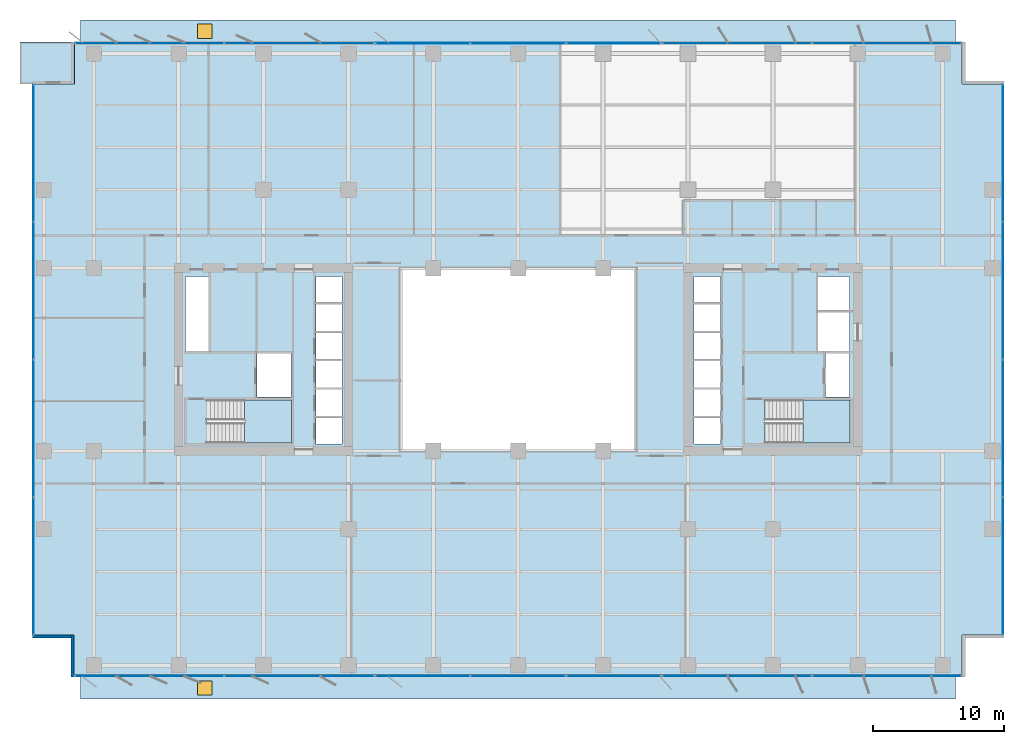
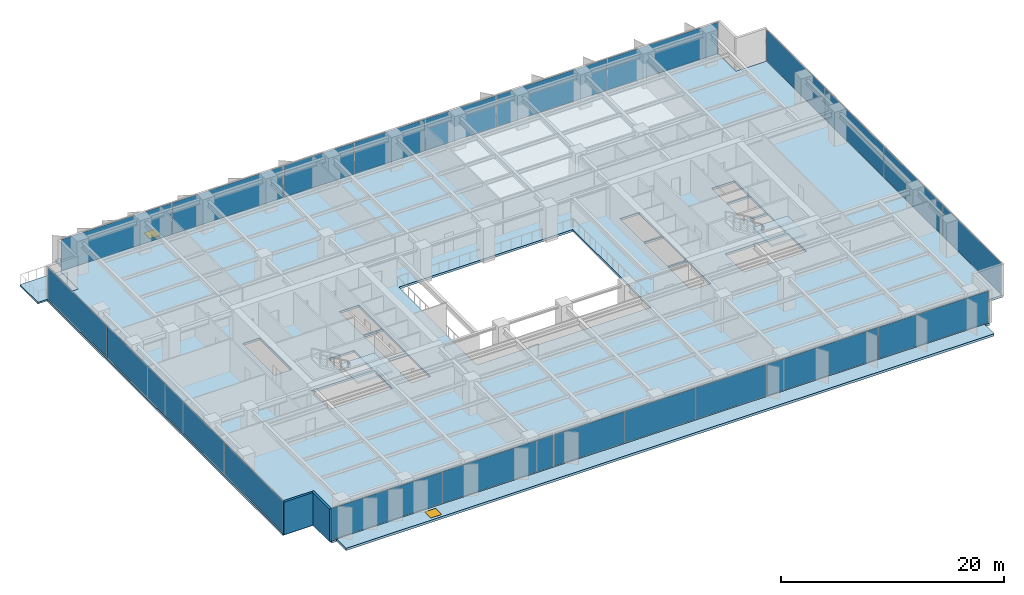
# One storey, part 12 of 19: 22 plates, 6 slabs, 2 doors, 2 walls, 2 openings, 10 elements without a shape of their own.
"""IFC4 building model written with IfcOpenShell, lengths in metres."""

from ifc_helpers import new_model, si_unit, direction, frame, frame_2d, origin, origin_2d, place, context, subcontext, project, spatial, polyline, rectangle, outline, extrude, material, layer, layer_set, type_object, element, fill, aggregate, save


model = new_model("IFC4")

# Units and contexts
model_context = context("Model", 3, precision=1e-05, world=origin(), true_north=direction((0.0, 1.0)))
body_context = subcontext(model_context, "Body", "Model", "MODEL_VIEW")
ifc_project = project(units=[si_unit("LENGTHUNIT", "METRE"), si_unit("AREAUNIT", "SQUARE_METRE"), si_unit("VOLUMEUNIT", "CUBIC_METRE"), si_unit("PLANEANGLEUNIT", "RADIAN"), si_unit("MASSUNIT", "GRAM", prefix="KILO")], contexts=[model_context])

# Site, building, storey
site_placement = place(None, origin())
site = spatial("IfcSite", under=ifc_project, at=site_placement, CompositionType="ELEMENT")
building_placement = place(site_placement, origin())
building = spatial("IfcBuilding", under=site, at=building_placement, Name="Putna Gate Headquarters", CompositionType="ELEMENT")
storey_placement = place(building_placement, frame((0.0, 0.0, 86.0)))
storey = spatial("IfcBuildingStorey", under=building, at=storey_placement, Name="L20", CompositionType="ELEMENT", Elevation=86.0)

# Stair, slab
ifc_material_1 = material(Name="Concrete C40/50", Category="concrete")
stair_type_1 = type_object("IfcStairType", Name="STAIR-ST1", PredefinedType="HALF_TURN_STAIR", material=ifc_material_1)
stair_1_placement = place(storey_placement, origin())
stair_1 = element("IfcStair", 1, at=stair_1_placement, inside=storey, type_object=stair_type_1, Name="L20 West Core Exit Stair ST1", PredefinedType="HALF_TURN_STAIR")
ifc_layer_1 = layer(ifc_material_1, 0.199951171875)
ifc_layer_set_1 = layer_set([ifc_layer_1], Name="Concrete C40/50")
slab_type_1 = type_object("IfcSlabType", Name="LANDING-ST1", PredefinedType="LANDING", material=ifc_layer_set_1)
slab_1_placement = place(storey_placement, frame((0.0, 0.0, 1.699951171875)))
slab_1 = element("IfcSlab", 2, at=slab_1_placement, type_object=slab_type_1, Name="ST1 landing 1", PredefinedType="LANDING", context=body_context, shape_type="SweptSolid", body=[
    extrude(outline(polyline([(18.050048828125, 19.60009765625), (21.64990234375, 19.60009765625), (21.64990234375, 22.89990234375), (18.050048828125, 22.89990234375), (18.050048828125, 19.60009765625)])), origin(), (0.0, 0.0, 1.0), 0.199951171875),
])
aggregate(stair_1, [slab_1])

stair_type_2 = type_object("IfcStairType", Name="STAIR-ST2", PredefinedType="HALF_TURN_STAIR", material=ifc_material_1)
stair_2_placement = place(storey_placement, origin())
stair_2 = element("IfcStair", 3, at=stair_2_placement, inside=storey, type_object=stair_type_2, Name="L20 East Core Exit Stair ST2", PredefinedType="HALF_TURN_STAIR")
ifc_layer_2 = layer(ifc_material_1, 0.199951171875)
ifc_layer_set_2 = layer_set([ifc_layer_2], Name="Concrete C40/50")
slab_type_2 = type_object("IfcSlabType", Name="LANDING-ST2", PredefinedType="LANDING", material=ifc_layer_set_2)
slab_2_placement = place(storey_placement, frame((0.0, 0.0, 1.699951171875)))
slab_2 = element("IfcSlab", 4, at=slab_2_placement, type_object=slab_type_2, Name="ST2 landing 1", PredefinedType="LANDING", context=body_context, shape_type="SweptSolid", body=[
    extrude(outline(polyline([(60.800048828125, 19.60009765625), (64.39990234375, 19.60009765625), (64.39990234375, 22.89990234375), (60.800048828125, 22.89990234375), (60.800048828125, 19.60009765625)])), origin(), (0.0, 0.0, 1.0), 0.199951171875),
])
aggregate(stair_2, [slab_2])

# Curtain wall, plates
ifc_material_2 = material(Name="Anodised bronze aluminium curtain wall", Category="aluminium")
ifc_layer_3 = layer(ifc_material_2, 0.159912109375)
ifc_layer_set_3 = layer_set([ifc_layer_3], Name="Anodised bronze aluminium curtain wall")
curtain_wall_type_1 = type_object("IfcCurtainWallType", Name="CW-SYS-Z2", PredefinedType="USERDEFINED", material=ifc_layer_set_3)
curtain_wall_1_placement = place(storey_placement, origin())
curtain_wall_1 = element("IfcCurtainWall", 5, at=curtain_wall_1_placement, inside=storey, type_object=curtain_wall_type_1, Name="L20 South West Curtain Wall", ObjectType="STICK CURTAIN WALL", PredefinedType="USERDEFINED")
ifc_material_3 = material(Name="Solar-control triple low-E glass", Category="glass")
ifc_layer_4 = layer(ifc_material_3, 0.030029296875)
ifc_layer_set_4 = layer_set([ifc_layer_4], Name="Solar-control triple low-E glass")
plate_type_1 = type_object("IfcPlateType", Name="PAN-CWP-2", PredefinedType="CURTAIN_PANEL", material=ifc_layer_set_4)
plate_1_placement = place(storey_placement, frame((10.766357421875, 1.780029296875, 0.06494140625), z_axis=(0.0, 0.0, 1.0), x_axis=(1.0, 0.0, 0.0)))
plate_1 = element("IfcPlate", 6, at=plate_1_placement, type_object=plate_type_1, Name="CWS-2 panel 1.1", PredefinedType="CURTAIN_PANEL", context=body_context, shape_type="SweptSolid", body=[
    extrude(rectangle(XDim=11.402587890625, YDim=0.030029296875, at=origin_2d()), origin(), (0.0, 0.0, 1.0), 3.43505859375),
])
plate_2_placement = place(storey_placement, frame((22.233642578125, 1.780029296875, 0.06494140625), z_axis=(0.0, 0.0, 1.0), x_axis=(1.0, 0.0, 0.0)))
plate_2 = element("IfcPlate", 7, at=plate_2_placement, type_object=plate_type_1, Name="CWS-2 panel 2.1", PredefinedType="CURTAIN_PANEL", context=body_context, shape_type="SweptSolid", body=[
    extrude(rectangle(XDim=11.402587890625, YDim=0.030029296875, at=origin_2d()), origin(), (0.0, 0.0, 1.0), 3.43505859375),
])
aggregate(curtain_wall_1, [plate_1, plate_2])

curtain_wall_2_placement = place(storey_placement, origin())
curtain_wall_2 = element("IfcCurtainWall", 8, at=curtain_wall_2_placement, inside=storey, type_object=curtain_wall_type_1, Name="L20 South East Curtain Wall", ObjectType="STICK CURTAIN WALL", PredefinedType="USERDEFINED")
plate_3_placement = place(storey_placement, frame((55.766357421875, 1.780029296875, 0.06494140625), z_axis=(0.0, 0.0, 1.0), x_axis=(1.0, 0.0, 0.0)))
plate_3 = element("IfcPlate", 9, at=plate_3_placement, type_object=plate_type_1, Name="CWS-2 panel 1.1", PredefinedType="CURTAIN_PANEL", context=body_context, shape_type="SweptSolid", body=[
    extrude(rectangle(XDim=11.402587890625, YDim=0.030029296875, at=origin_2d()), origin(), (0.0, 0.0, 1.0), 3.43505859375),
])
plate_4_placement = place(storey_placement, frame((67.233642578125, 1.780029296875, 0.06494140625), z_axis=(0.0, 0.0, 1.0), x_axis=(1.0, 0.0, 0.0)))
plate_4 = element("IfcPlate", 10, at=plate_4_placement, type_object=plate_type_1, Name="CWS-2 panel 2.1", PredefinedType="CURTAIN_PANEL", context=body_context, shape_type="SweptSolid", body=[
    extrude(rectangle(XDim=11.402587890625, YDim=0.030029296875, at=origin_2d()), origin(), (0.0, 0.0, 1.0), 3.43505859375),
])
aggregate(curtain_wall_2, [plate_3, plate_4])

curtain_wall_3_placement = place(storey_placement, origin())
curtain_wall_3 = element("IfcCurtainWall", 11, at=curtain_wall_3_placement, inside=storey, type_object=curtain_wall_type_1, Name="L20 North West Curtain Wall", ObjectType="STICK CURTAIN WALL", PredefinedType="USERDEFINED")
plate_5_placement = place(storey_placement, frame((10.766357421875, 50.219970703125, 0.06494140625), z_axis=(0.0, 0.0, 1.0), x_axis=(1.0, 0.0, 0.0)))
plate_5 = element("IfcPlate", 12, at=plate_5_placement, type_object=plate_type_1, Name="CWS-2 panel 1.1", PredefinedType="CURTAIN_PANEL", context=body_context, shape_type="SweptSolid", body=[
    extrude(rectangle(XDim=11.402587890625, YDim=0.030029296875, at=origin_2d()), origin(), (0.0, 0.0, 1.0), 3.43505859375),
])
plate_6_placement = place(storey_placement, frame((22.233642578125, 50.219970703125, 0.06494140625), z_axis=(0.0, 0.0, 1.0), x_axis=(1.0, 0.0, 0.0)))
plate_6 = element("IfcPlate", 13, at=plate_6_placement, type_object=plate_type_1, Name="CWS-2 panel 2.1", PredefinedType="CURTAIN_PANEL", context=body_context, shape_type="SweptSolid", body=[
    extrude(rectangle(XDim=11.402587890625, YDim=0.030029296875, at=origin_2d()), origin(), (0.0, 0.0, 1.0), 3.43505859375),
])
aggregate(curtain_wall_3, [plate_5, plate_6])

curtain_wall_4_placement = place(storey_placement, origin())
curtain_wall_4 = element("IfcCurtainWall", 14, at=curtain_wall_4_placement, inside=storey, type_object=curtain_wall_type_1, Name="L20 North East Curtain Wall", ObjectType="STICK CURTAIN WALL", PredefinedType="USERDEFINED")
plate_7_placement = place(storey_placement, frame((55.766357421875, 50.219970703125, 0.06494140625), z_axis=(0.0, 0.0, 1.0), x_axis=(1.0, 0.0, 0.0)))
plate_7 = element("IfcPlate", 15, at=plate_7_placement, type_object=plate_type_1, Name="CWS-2 panel 1.1", PredefinedType="CURTAIN_PANEL", context=body_context, shape_type="SweptSolid", body=[
    extrude(rectangle(XDim=11.402587890625, YDim=0.030029296875, at=origin_2d()), origin(), (0.0, 0.0, 1.0), 3.43505859375),
])
plate_8_placement = place(storey_placement, frame((67.233642578125, 50.219970703125, 0.06494140625), z_axis=(0.0, 0.0, 1.0), x_axis=(1.0, 0.0, 0.0)))
plate_8 = element("IfcPlate", 16, at=plate_8_placement, type_object=plate_type_1, Name="CWS-2 panel 2.1", PredefinedType="CURTAIN_PANEL", context=body_context, shape_type="SweptSolid", body=[
    extrude(rectangle(XDim=11.402587890625, YDim=0.030029296875, at=origin_2d()), origin(), (0.0, 0.0, 1.0), 3.43505859375),
])
aggregate(curtain_wall_4, [plate_7, plate_8])

curtain_wall_5_placement = place(storey_placement, origin())
curtain_wall_5 = element("IfcCurtainWall", 17, at=curtain_wall_5_placement, inside=storey, type_object=curtain_wall_type_1, Name="L20 West Curtain Wall", ObjectType="STICK CURTAIN WALL", PredefinedType="USERDEFINED")
plate_9_placement = place(storey_placement, frame((1.8798828125, 10.191162109375, 0.06494140625), z_axis=(0.0, 0.0, 1.0), x_axis=(0.0, 1.0, 0.0)))
plate_9 = element("IfcPlate", 18, at=plate_9_placement, type_object=plate_type_1, Name="CWS-2 panel 1.1", PredefinedType="CURTAIN_PANEL", context=body_context, shape_type="SweptSolid", body=[
    extrude(rectangle(XDim=10.452392578125, YDim=0.030029296875, at=origin_2d()), origin(), (0.0, 0.0, 1.0), 3.43505859375),
])
plate_10_placement = place(storey_placement, frame((1.8798828125, 20.72509765625, 0.06494140625), z_axis=(0.0, 0.0, 1.0), x_axis=(0.0, 1.0, 0.0)))
plate_10 = element("IfcPlate", 19, at=plate_10_placement, type_object=plate_type_1, Name="CWS-2 panel 2.1", PredefinedType="CURTAIN_PANEL", context=body_context, shape_type="SweptSolid", body=[
    extrude(rectangle(XDim=10.485107421875, YDim=0.030029296875, at=origin_2d()), origin(), (0.0, 0.0, 1.0), 3.43505859375),
])
plate_11_placement = place(storey_placement, frame((1.8798828125, 31.27490234375, 0.06494140625), z_axis=(0.0, 0.0, 1.0), x_axis=(0.0, 1.0, 0.0)))
plate_11 = element("IfcPlate", 20, at=plate_11_placement, type_object=plate_type_1, Name="CWS-2 panel 3.1", PredefinedType="CURTAIN_PANEL", context=body_context, shape_type="SweptSolid", body=[
    extrude(rectangle(XDim=10.485107421875, YDim=0.030029296875, at=origin_2d()), origin(), (0.0, 0.0, 1.0), 3.43505859375),
])
plate_12_placement = place(storey_placement, frame((1.8798828125, 41.808837890625, 0.06494140625), z_axis=(0.0, 0.0, 1.0), x_axis=(0.0, 1.0, 0.0)))
plate_12 = element("IfcPlate", 21, at=plate_12_placement, type_object=plate_type_1, Name="CWS-2 panel 4.1", PredefinedType="CURTAIN_PANEL", context=body_context, shape_type="SweptSolid", body=[
    extrude(rectangle(XDim=10.452392578125, YDim=0.030029296875, at=origin_2d()), origin(), (0.0, 0.0, 1.0), 3.43505859375),
])
aggregate(curtain_wall_5, [plate_9, plate_10, plate_11, plate_12])

curtain_wall_6_placement = place(storey_placement, origin())
curtain_wall_6 = element("IfcCurtainWall", 22, at=curtain_wall_6_placement, inside=storey, type_object=curtain_wall_type_1, Name="L20 East Curtain Wall", ObjectType="STICK CURTAIN WALL", PredefinedType="USERDEFINED")
plate_13_placement = place(storey_placement, frame((76.1201171875, 10.191162109375, 0.06494140625), z_axis=(0.0, 0.0, 1.0), x_axis=(0.0, 1.0, 0.0)))
plate_13 = element("IfcPlate", 23, at=plate_13_placement, type_object=plate_type_1, Name="CWS-2 panel 1.1", PredefinedType="CURTAIN_PANEL", context=body_context, shape_type="SweptSolid", body=[
    extrude(rectangle(XDim=10.452392578125, YDim=0.030029296875, at=origin_2d()), origin(), (0.0, 0.0, 1.0), 3.43505859375),
])
plate_14_placement = place(storey_placement, frame((76.1201171875, 20.72509765625, 0.06494140625), z_axis=(0.0, 0.0, 1.0), x_axis=(0.0, 1.0, 0.0)))
plate_14 = element("IfcPlate", 24, at=plate_14_placement, type_object=plate_type_1, Name="CWS-2 panel 2.1", PredefinedType="CURTAIN_PANEL", context=body_context, shape_type="SweptSolid", body=[
    extrude(rectangle(XDim=10.485107421875, YDim=0.030029296875, at=origin_2d()), origin(), (0.0, 0.0, 1.0), 3.43505859375),
])
plate_15_placement = place(storey_placement, frame((76.1201171875, 31.27490234375, 0.06494140625), z_axis=(0.0, 0.0, 1.0), x_axis=(0.0, 1.0, 0.0)))
plate_15 = element("IfcPlate", 25, at=plate_15_placement, type_object=plate_type_1, Name="CWS-2 panel 3.1", PredefinedType="CURTAIN_PANEL", context=body_context, shape_type="SweptSolid", body=[
    extrude(rectangle(XDim=10.485107421875, YDim=0.030029296875, at=origin_2d()), origin(), (0.0, 0.0, 1.0), 3.43505859375),
])
plate_16_placement = place(storey_placement, frame((76.1201171875, 41.808837890625, 0.06494140625), z_axis=(0.0, 0.0, 1.0), x_axis=(0.0, 1.0, 0.0)))
plate_16 = element("IfcPlate", 26, at=plate_16_placement, type_object=plate_type_1, Name="CWS-2 panel 4.1", PredefinedType="CURTAIN_PANEL", context=body_context, shape_type="SweptSolid", body=[
    extrude(rectangle(XDim=10.452392578125, YDim=0.030029296875, at=origin_2d()), origin(), (0.0, 0.0, 1.0), 3.43505859375),
])
aggregate(curtain_wall_6, [plate_13, plate_14, plate_15, plate_16])

ifc_layer_5 = layer(ifc_material_2, 0.179931640625)
ifc_layer_set_5 = layer_set([ifc_layer_5], Name="Anodised bronze aluminium curtain wall")
curtain_wall_type_2 = type_object("IfcCurtainWallType", Name="CW-SYS-ATR", PredefinedType="USERDEFINED", material=ifc_layer_set_5)
curtain_wall_7_placement = place(storey_placement, origin())
curtain_wall_7 = element("IfcCurtainWall", 27, at=curtain_wall_7_placement, inside=storey, type_object=curtain_wall_type_2, Name="L20 South Atrium Clear Glazing", ObjectType="ATRIUM GLAZING", PredefinedType="USERDEFINED")
ifc_material_4 = material(Name="Clear low-iron triple glazing", Category="glass")
ifc_layer_6 = layer(ifc_material_4, 0.0400390625)
ifc_layer_set_6 = layer_set([ifc_layer_6], Name="Clear low-iron triple glazing")
plate_type_2 = type_object("IfcPlateType", Name="PAN-CWP-AT", PredefinedType="CURTAIN_PANEL", material=ifc_layer_set_6)
plate_17_placement = place(storey_placement, frame((31.68408203125, 1.780029296875, 0.06982421875), z_axis=(0.0, 0.0, 1.0), x_axis=(1.0, 0.0, 0.0)))
plate_17 = element("IfcPlate", 28, at=plate_17_placement, type_object=plate_type_2, Name="CWS-AT panel 1.1", PredefinedType="CURTAIN_PANEL", context=body_context, shape_type="SweptSolid", body=[
    extrude(rectangle(XDim=7.228271484375, YDim=0.0400390625, at=origin_2d()), origin(), (0.0, 0.0, 1.0), 3.425048828125),
])
plate_18_placement = place(storey_placement, frame((39.0, 1.780029296875, 0.06982421875), z_axis=(0.0, 0.0, 1.0), x_axis=(1.0, 0.0, 0.0)))
plate_18 = element("IfcPlate", 29, at=plate_18_placement, type_object=plate_type_2, Name="CWS-AT panel 2.1", PredefinedType="CURTAIN_PANEL", context=body_context, shape_type="SweptSolid", body=[
    extrude(rectangle(XDim=7.263427734375, YDim=0.0400390625, at=origin_2d()), origin(), (0.0, 0.0, 1.0), 3.425048828125),
])
plate_19_placement = place(storey_placement, frame((46.31591796875, 1.780029296875, 0.06982421875), z_axis=(0.0, 0.0, 1.0), x_axis=(1.0, 0.0, 0.0)))
plate_19 = element("IfcPlate", 30, at=plate_19_placement, type_object=plate_type_2, Name="CWS-AT panel 3.1", PredefinedType="CURTAIN_PANEL", context=body_context, shape_type="SweptSolid", body=[
    extrude(rectangle(XDim=7.228271484375, YDim=0.0400390625, at=origin_2d()), origin(), (0.0, 0.0, 1.0), 3.425048828125),
])
aggregate(curtain_wall_7, [plate_17, plate_18, plate_19])

curtain_wall_8_placement = place(storey_placement, origin())
curtain_wall_8 = element("IfcCurtainWall", 31, at=curtain_wall_8_placement, inside=storey, type_object=curtain_wall_type_2, Name="L20 North Atrium Clear Glazing", ObjectType="ATRIUM GLAZING", PredefinedType="USERDEFINED")
plate_20_placement = place(storey_placement, frame((31.68408203125, 50.219970703125, 0.06982421875), z_axis=(0.0, 0.0, 1.0), x_axis=(1.0, 0.0, 0.0)))
plate_20 = element("IfcPlate", 32, at=plate_20_placement, type_object=plate_type_2, Name="CWS-AT panel 1.1", PredefinedType="CURTAIN_PANEL", context=body_context, shape_type="SweptSolid", body=[
    extrude(rectangle(XDim=7.228271484375, YDim=0.0400390625, at=origin_2d()), origin(), (0.0, 0.0, 1.0), 3.425048828125),
])
plate_21_placement = place(storey_placement, frame((39.0, 50.219970703125, 0.06982421875), z_axis=(0.0, 0.0, 1.0), x_axis=(1.0, 0.0, 0.0)))
plate_21 = element("IfcPlate", 33, at=plate_21_placement, type_object=plate_type_2, Name="CWS-AT panel 2.1", PredefinedType="CURTAIN_PANEL", context=body_context, shape_type="SweptSolid", body=[
    extrude(rectangle(XDim=7.263427734375, YDim=0.0400390625, at=origin_2d()), origin(), (0.0, 0.0, 1.0), 3.425048828125),
])
plate_22_placement = place(storey_placement, frame((46.31591796875, 50.219970703125, 0.06982421875), z_axis=(0.0, 0.0, 1.0), x_axis=(1.0, 0.0, 0.0)))
plate_22 = element("IfcPlate", 34, at=plate_22_placement, type_object=plate_type_2, Name="CWS-AT panel 3.1", PredefinedType="CURTAIN_PANEL", context=body_context, shape_type="SweptSolid", body=[
    extrude(rectangle(XDim=7.228271484375, YDim=0.0400390625, at=origin_2d()), origin(), (0.0, 0.0, 1.0), 3.425048828125),
])
aggregate(curtain_wall_8, [plate_20, plate_21, plate_22])

# Slab, opening, door
ifc_layer_7 = layer(ifc_material_1, 0.260009765625)
ifc_layer_set_7 = layer_set([ifc_layer_7], Name="Concrete C40/50")
slab_type_3 = type_object("IfcSlabType", Name="SLAB-PODIUM-ROOF-260", PredefinedType="ROOF", material=ifc_layer_set_7)
slab_3_placement = place(storey_placement, frame((0.0, 0.0, -0.2099609375)))
slab_3 = element("IfcSlab", 35, at=slab_3_placement, inside=storey, type_object=slab_type_3, Name="L20 Maintenance Setback Roof Slab S", PredefinedType="ROOF", context=body_context, shape_type="SweptSolid", body=[
    extrude(outline(polyline([(5.5, 0.0), (72.5, 0.0), (72.5, 1.699951171875), (5.5, 1.699951171875), (5.5, 0.0)])), origin(), (0.0, 0.0, 1.0), 0.260009765625),
])
opening_1_placement = place(slab_3_placement, frame((15.0, 0.85009765625, 0.0)))
opening_1 = element("IfcOpeningElement", 36, at=opening_1_placement, cuts=slab_3, Name="Opening RH-1", PredefinedType="OPENING", context=body_context, shape_type="SweptSolid", body=[
    extrude(rectangle(XDim=1.10009765625, YDim=1.10009765625, at=origin_2d()), origin(), (0.0, 0.0, 1.0), 0.260009765625),
])
ifc_material_5 = material(Name="Insulated aluminium roof access hatch", Category="aluminium")
door_type = type_object("IfcDoorType", Name="DOOR-ROOF-HATCH-1100", OperationType="SINGLE_SWING_LEFT", PredefinedType="TRAPDOOR", material=ifc_material_5)
door_1_placement = place(opening_1_placement, frame((0.0, 0.0, 0.2099609375)))
door_1 = element("IfcDoor", 37, at=door_1_placement, inside=storey, type_object=door_type, Name="L20 Roof Maintenance Hatch 1", OperationType="SINGLE_SWING_LEFT", OverallHeight=1.10009765625, OverallWidth=1.10009765625, PredefinedType="TRAPDOOR", context=body_context, shape_type="SweptSolid", body=[
    extrude(rectangle(XDim=1.10009765625, YDim=1.10009765625, at=origin_2d()), origin(), (0.0, 0.0, 1.0), 0.050048828125),
])
fill(opening_1, door_1)

slab_4_placement = place(storey_placement, frame((0.0, 0.0, -0.2099609375)))
slab_4 = element("IfcSlab", 38, at=slab_4_placement, inside=storey, type_object=slab_type_3, Name="L20 Maintenance Setback Roof Slab N", PredefinedType="ROOF", context=body_context, shape_type="SweptSolid", body=[
    extrude(outline(polyline([(5.5, 50.300048828125), (72.5, 50.300048828125), (72.5, 52.0), (5.5, 52.0), (5.5, 50.300048828125)])), origin(), (0.0, 0.0, 1.0), 0.260009765625),
])
opening_2_placement = place(slab_4_placement, frame((15.0, 51.14990234375, 0.0)))
opening_2 = element("IfcOpeningElement", 39, at=opening_2_placement, cuts=slab_4, Name="Opening RH-1", PredefinedType="OPENING", context=body_context, shape_type="SweptSolid", body=[
    extrude(rectangle(XDim=1.10009765625, YDim=1.10009765625, at=origin_2d()), origin(), (0.0, 0.0, 1.0), 0.260009765625),
])
door_2_placement = place(opening_2_placement, frame((0.0, 0.0, 0.2099609375)))
door_2 = element("IfcDoor", 40, at=door_2_placement, inside=storey, type_object=door_type, Name="L20 Roof Maintenance Hatch 2", OperationType="SINGLE_SWING_LEFT", OverallHeight=1.10009765625, OverallWidth=1.10009765625, PredefinedType="TRAPDOOR", context=body_context, shape_type="SweptSolid", body=[
    extrude(rectangle(XDim=1.10009765625, YDim=1.10009765625, at=origin_2d()), origin(), (0.0, 0.0, 1.0), 0.050048828125),
])
fill(opening_2, door_2)

# Slabs
ifc_layer_8 = layer(ifc_material_1, 0.179931640625)
ifc_layer_set_8 = layer_set([ifc_layer_8], Name="Concrete C40/50")
slab_type_4 = type_object("IfcSlabType", Name="SLAB-TERRACE-180", PredefinedType="FLOOR", material=ifc_layer_set_8)
slab_5_placement = place(storey_placement, frame((0.0, 0.0, -0.179931640625)))
element("IfcSlab", 41, at=slab_5_placement, inside=storey, type_object=slab_type_4, Name="L20 Spiral Sky-Garden Terrace Slab (NW)", PredefinedType="FLOOR", context=body_context, shape_type="SweptSolid", body=[
    extrude(outline(polyline([(0.85009765625, 47.092041015625), (5.008056640625, 47.092041015625), (5.008056640625, 50.300048828125), (0.85009765625, 50.300048828125), (0.85009765625, 47.092041015625)])), origin(), (0.0, 0.0, 1.0), 0.179931640625),
])
ifc_layer_9 = layer(ifc_material_1, 0.235107421875)
ifc_layer_set_9 = layer_set([ifc_layer_9], Name="Concrete C40/50")
slab_type_5 = type_object("IfcSlabType", Name="SLAB-Z2-235", PredefinedType="FLOOR", material=ifc_layer_set_9)
slab_6_placement = place(storey_placement, frame((0.0, 0.0, -0.235107421875)))
element("IfcSlab", 42, at=slab_6_placement, inside=storey, type_object=slab_type_5, Name="L20 Composite Floor Slab", PredefinedType="FLOOR", context=body_context, shape_type="SweptSolid", body=[
    extrude(outline(polyline([(5.0, 1.699951171875), (73.0, 1.699951171875), (73.0, 4.89990234375), (76.199951171875, 4.89990234375), (76.199951171875, 47.10009765625), (73.0, 47.10009765625), (73.0, 50.300048828125), (5.0, 50.300048828125), (5.0, 47.10009765625), (1.800048828125, 47.10009765625), (1.800048828125, 4.89990234375), (5.0, 4.89990234375), (5.0, 1.699951171875)]), holes=[polyline([(15.1650390625, 19.60009765625), (21.64990234375, 19.60009765625), (21.64990234375, 22.89990234375), (15.1650390625, 22.89990234375), (15.1650390625, 19.60009765625)]), polyline([(57.9150390625, 19.60009765625), (64.39990234375, 19.60009765625), (64.39990234375, 22.89990234375), (57.9150390625, 22.89990234375), (57.9150390625, 19.60009765625)]), polyline([(13.52001953125, 26.659912109375), (15.280029296875, 26.659912109375), (15.280029296875, 32.35009765625), (13.52001953125, 32.35009765625), (13.52001953125, 26.659912109375)]), polyline([(61.969970703125, 29.780029296875), (64.35009765625, 29.780029296875), (64.35009765625, 32.35009765625), (61.969970703125, 32.35009765625), (61.969970703125, 29.780029296875)]), polyline([(18.97998046875, 23.1201171875), (21.6201171875, 23.1201171875), (21.6201171875, 26.4599609375), (18.97998046875, 26.4599609375), (18.97998046875, 23.1201171875)]), polyline([(62.52001953125, 23.1201171875), (64.35009765625, 23.1201171875), (64.35009765625, 26.4599609375), (62.52001953125, 26.4599609375), (62.52001953125, 23.1201171875)]), polyline([(61.969970703125, 26.659912109375), (64.35009765625, 26.659912109375), (64.35009765625, 29.6201171875), (61.969970703125, 29.6201171875), (61.969970703125, 26.659912109375)]), polyline([(23.5, 19.52001953125), (25.5, 19.52001953125), (25.5, 23.699951171875), (23.5, 23.699951171875), (23.5, 19.52001953125)]), polyline([(52.47998046875, 19.52001953125), (54.5, 19.52001953125), (54.5, 23.699951171875), (52.47998046875, 23.699951171875), (52.47998046875, 19.52001953125)]), polyline([(23.5, 23.860107421875), (25.5, 23.860107421875), (25.5, 28.0400390625), (23.5, 28.0400390625), (23.5, 23.860107421875)]), polyline([(52.47998046875, 23.860107421875), (54.5, 23.860107421875), (54.5, 28.0400390625), (52.47998046875, 28.0400390625), (52.47998046875, 23.860107421875)]), polyline([(23.5, 28.199951171875), (25.5, 28.199951171875), (25.5, 32.35009765625), (23.5, 32.35009765625), (23.5, 28.199951171875)]), polyline([(52.47998046875, 28.199951171875), (54.5, 28.199951171875), (54.5, 32.35009765625), (52.47998046875, 32.35009765625), (52.47998046875, 28.199951171875)]), polyline([(30.0, 19.0), (48.0, 19.0), (48.0, 33.0), (30.0, 33.0), (30.0, 19.0)])]), origin(), (0.0, 0.0, 1.0), 0.235107421875),
])

# Walls
ifc_material_6 = material(Name="Precast concrete C40/50", Category="concrete")
ifc_layer_10 = layer(ifc_material_6, 0.239990234375)
ifc_layer_set_10 = layer_set([ifc_layer_10], Name="Precast concrete C40/50")
wall_type = type_object("IfcWallType", Name="WALL-EXT-TERR-240", PredefinedType="STANDARD", material=ifc_layer_set_10)
for number, where, z_axis, x_axis, name in (
    (43, (4.8798828125, 1.699951171875, 0.0), (0.0, 0.0, 1.0), (0.0, 1.0, 0.0), "L20 Corner Notch Return Wall SW-V"),
    (44, (5.0, 4.780029296875, 0.0), (0.0, 0.0, 1.0), (-1.0, 0.0, 0.0), "L20 Corner Notch Return Wall SW-H"),
):
    element("IfcWall", number, at=place(storey_placement, frame(where, z_axis=z_axis, x_axis=x_axis)), inside=storey, type_object=wall_type, Name=name, PredefinedType="STANDARD", context=body_context, shape_type="SweptSolid", body=[
        extrude(rectangle(XDim=3.199951171875, YDim=0.239990234375, at=frame_2d((1.60009765625, 0.0))), origin(), (0.0, 0.0, 1.0), 3.56494140625),
    ])

save(model, "model.ifc")
